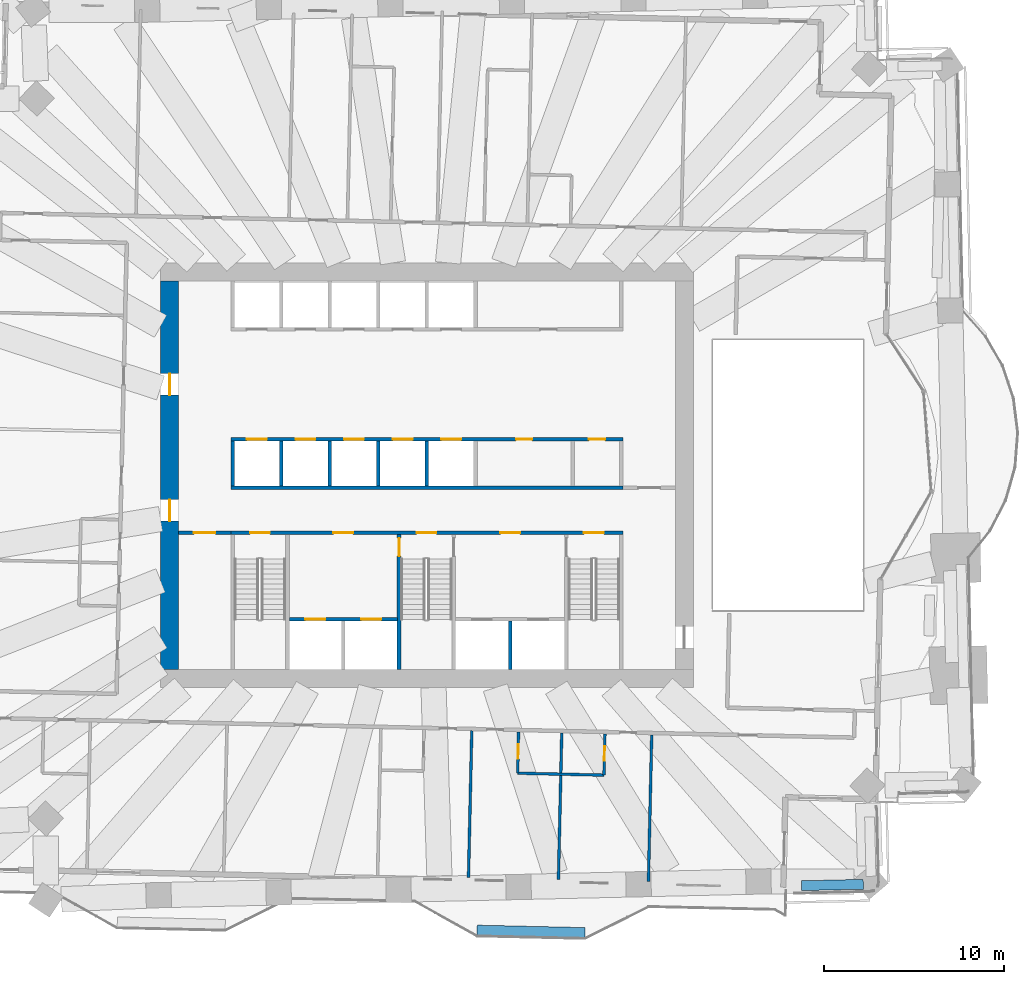
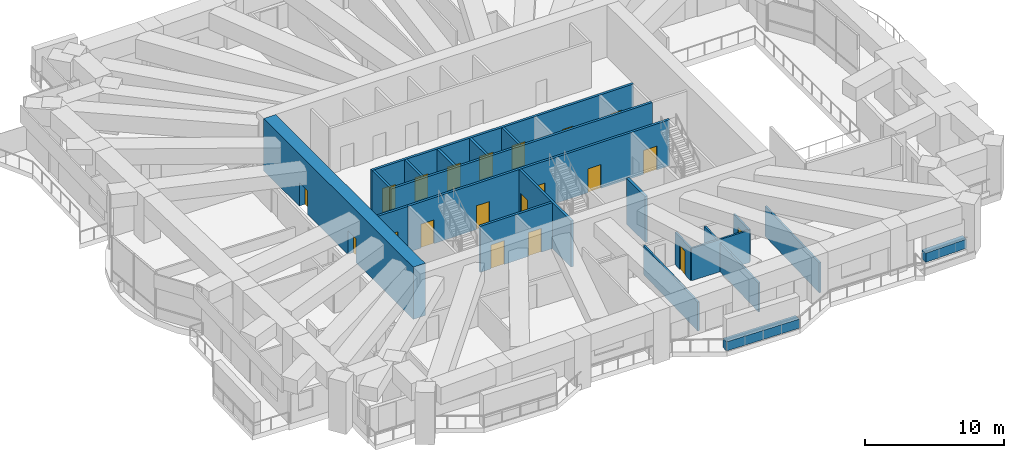
# One storey, part 11 of 20: 21 walls, 20 doors, 20 openings.
"""IFC4 building model written with IfcOpenShell, lengths in metres."""

import ifcopenshell
import ifcopenshell.guid

model = None  # the IFC model being written
_history = None  # IfcOwnerHistory: only IFC2X3 demands one
_inside = {}  # id of a spatial element -> (the spatial element, [elements in it])
_under = {}  # id of a project, library or spatial element -> (it, [spatial elements below it])
_declared = {}  # id of a project -> (the project, [libraries it declares])
_typed = {}  # id of a type object -> (the type object, [elements of that type])
_made_of = {}  # id of a material, layer set ... -> (it, [elements and type objects made of it])


def new_model(schema):
    """Start an empty IFC model of exactly this schema.

    Asked for "IFC4X3", IfcOpenShell would pick the latest addendum, in which some entities
    have other attributes; the version numbers below select the first issue.
    IFC2X3 requires an IfcOwnerHistory on every rooted entity: one is made here for all.
    """
    global model, _history
    if schema == "IFC4X3":
        model = ifcopenshell.file(schema_version=(4, 3, 0, 0))
    else:
        model = ifcopenshell.file(schema=schema)
    _inside.clear()
    _under.clear()
    _declared.clear()
    _typed.clear()
    _made_of.clear()
    _history = None
    if model.schema == "IFC2X3":
        org = make("IfcOrganization", Name="unknown")
        user = make(
            "IfcPersonAndOrganization",
            ThePerson=make("IfcPerson", FamilyName="unknown"),
            TheOrganization=org,
        )
        app = make(
            "IfcApplication",
            ApplicationDeveloper=org,
            Version="unknown",
            ApplicationFullName="unknown",
            ApplicationIdentifier="unknown",
        )
        _history = make(
            "IfcOwnerHistory",
            OwningUser=user,
            OwningApplication=app,
            ChangeAction="ADDED",
            CreationDate=0,
        )
    return model


def make(cls, **values):
    """One entity of the class cls with the attributes given. An attribute that is None is left unset."""
    return model.create_entity(
        cls, **{name: value for name, value in values.items() if value is not None}
    )


def rooted(cls, **values):
    """An entity with a GlobalId (a new one), such as an element, a storey or a relation."""
    return make(cls, GlobalId=ifcopenshell.guid.new(), OwnerHistory=_history, **values)


def si_unit(unit_type, name, prefix=None):
    """IfcSIUnit, for example si_unit("LENGTHUNIT", "METRE", prefix="MILLI")."""
    return make("IfcSIUnit", UnitType=unit_type, Prefix=prefix, Name=name)


def assignment(units):
    """IfcUnitAssignment: the units of a project."""
    return None if units is None else make("IfcUnitAssignment", Units=units)


def point(xyz):
    """IfcCartesianPoint."""
    return None if xyz is None else make("IfcCartesianPoint", Coordinates=xyz)


def direction(xyz):
    """IfcDirection."""
    return None if xyz is None else make("IfcDirection", DirectionRatios=xyz)


def frame(location, z_axis=None, x_axis=None):
    """IfcAxis2Placement3D, a coordinate frame: its origin and axes. An axis left out is left unset."""
    return make(
        "IfcAxis2Placement3D",
        Location=point(location),
        Axis=direction(z_axis),
        RefDirection=direction(x_axis),
    )


def frame_2d(location, x_axis=None):
    """IfcAxis2Placement2D, a coordinate frame in the plane: its origin and x axis."""
    return make(
        "IfcAxis2Placement2D", Location=point(location), RefDirection=direction(x_axis)
    )


def origin():
    """The frame at (0, 0, 0) with its axes left unset."""
    return frame((0.0, 0.0, 0.0))


def place(relative_to, where):
    """IfcLocalPlacement: puts the frame where relative to a parent placement (None: the world)."""
    return make(
        "IfcLocalPlacement", PlacementRelTo=relative_to, RelativePlacement=where
    )


def context(
    kind, dimensions, precision=None, world=None, true_north=None, identifier=None
):
    """IfcGeometricRepresentationContext, for example the 3D "Model" context."""
    return make(
        "IfcGeometricRepresentationContext",
        ContextIdentifier=identifier,
        ContextType=kind,
        CoordinateSpaceDimension=dimensions,
        Precision=precision,
        WorldCoordinateSystem=world,
        TrueNorth=true_north,
    )


def subcontext(parent, identifier, kind, view, scale=None):
    """IfcGeometricRepresentationSubContext, for example "Body" below "Model"."""
    return make(
        "IfcGeometricRepresentationSubContext",
        ContextIdentifier=identifier,
        ContextType=kind,
        ParentContext=parent,
        TargetScale=scale,
        TargetView=view,
    )


def project(units=None, contexts=None):
    """IfcProject with its units and contexts."""
    return rooted(
        "IfcProject",
        Name="project",
        RepresentationContexts=contexts,
        UnitsInContext=assignment(units),
    )


def spatial(cls, under=None, at=None, **own):
    """A site, building, storey or space (cls), placed at a placement, below another one or the project."""
    s = rooted(cls, ObjectPlacement=at, **own)
    if under is not None:
        _under.setdefault(under.id(), (under, []))[1].append(s)
    return s


def profile(cls, at=None, kind="AREA", **sizes):
    """A parametric profile (cls). Its sizes go by their IFC names, for example OverallWidth=200.0."""
    return make(cls, ProfileType=kind, Position=at, **sizes)


def rectangle(**sizes):
    """IfcRectangleProfileDef."""
    return profile("IfcRectangleProfileDef", **sizes)


def extrude(swept, where, along, depth):
    """IfcExtrudedAreaSolid: the profile swept, set in the frame where, extruded along a direction by depth."""
    return make(
        "IfcExtrudedAreaSolid",
        SweptArea=swept,
        Position=where,
        ExtrudedDirection=direction(along),
        Depth=depth,
    )


def shape(context_of_items, identifier, shape_type, items):
    """IfcShapeRepresentation: the items that make up one representation, for example the "Body"."""
    return make(
        "IfcShapeRepresentation",
        ContextOfItems=context_of_items,
        RepresentationIdentifier=identifier,
        RepresentationType=shape_type,
        Items=items,
    )


def material(Name=None, Category=None):
    """IfcMaterial."""
    return make("IfcMaterial", Name=Name, Category=Category)


def layer(
    of_material, thickness, ventilated=None, Name=None, Category=None, Priority=None
):
    """IfcMaterialLayer: one layer of a wall or slab, of a material (None: an air gap)."""
    return make(
        "IfcMaterialLayer",
        Material=of_material,
        LayerThickness=thickness,
        IsVentilated=ventilated,
        Name=Name,
        Category=Category,
        Priority=Priority,
    )


def layer_set(layers, Name=None):
    """IfcMaterialLayerSet."""
    return make("IfcMaterialLayerSet", MaterialLayers=layers, LayerSetName=Name)


def made_of(thing, what):
    """Note that an element or type object is made of a material, layer set ...; save() writes the relation."""
    if what is not None:
        _made_of.setdefault(what.id(), (what, []))[1].append(thing)
    return thing


def type_object(cls, material=None, **own):
    """A type object (cls), such as IfcWallType, which elements share."""
    return made_of(rooted(cls, **own), material)


def element(
    cls,
    number,
    at=None,
    inside=None,
    cuts=None,
    type_object=None,
    material=None,
    context=None,
    identifier="Body",
    shape_type=None,
    held_by="IfcProductDefinitionShape",
    body=None,
    shapes=None,
    **own,
):
    """One element of the class cls, such as IfcWall. Its Tag is "e" and its number.

    at: its placement. inside: the storey or other place that contains it. cuts: it is an
    opening in that element (IfcRelVoidsElement). A single representation is given by context,
    identifier, shape_type and body (its items); several are given by shapes. held_by: the class
    of the entity that holds the representations. save() writes the other relations.
    """
    e = rooted(cls, Tag="e%d" % number, ObjectPlacement=at, **own)
    if body is not None:
        shapes = [shape(context, identifier, shape_type, body)]
    if shapes is not None:
        e.Representation = make(held_by, Representations=shapes)
    if inside is not None:
        _inside.setdefault(inside.id(), (inside, []))[1].append(e)
    if cuts is not None:
        rooted(
            "IfcRelVoidsElement", RelatingBuildingElement=cuts, RelatedOpeningElement=e
        )
    if type_object is not None:
        _typed.setdefault(type_object.id(), (type_object, []))[1].append(e)
    return made_of(e, material)


def fill(opening, filler):
    """IfcRelFillsElement: the door or window that sits in an opening."""
    return rooted(
        "IfcRelFillsElement",
        RelatingOpeningElement=opening,
        RelatedBuildingElement=filler,
    )


def aggregate(whole, parts):
    """IfcRelAggregates: a whole, such as a stair, and the parts it consists of."""
    return rooted("IfcRelAggregates", RelatingObject=whole, RelatedObjects=parts)


def save(model, path):
    """Write the relations noted so far, then the file.

    IfcRelAggregates (storeys below a building ...), IfcRelContainedInSpatialStructure (elements
    in a storey), IfcRelDefinesByType, IfcRelAssociatesMaterial and IfcRelDeclares: one each for
    every whole, place, type object, material and project.
    """
    for whole, parts in _under.values():
        aggregate(whole, parts)
    for where, things in _inside.values():
        rooted(
            "IfcRelContainedInSpatialStructure",
            RelatedElements=things,
            RelatingStructure=where,
        )
    for kind, things in _typed.values():
        rooted("IfcRelDefinesByType", RelatedObjects=things, RelatingType=kind)
    for what, things in _made_of.values():
        rooted("IfcRelAssociatesMaterial", RelatedObjects=things, RelatingMaterial=what)
    for by, libraries in _declared.values():
        rooted("IfcRelDeclares", RelatingContext=by, RelatedDefinitions=libraries)
    model.write(path)


model = new_model("IFC4")

# Units and contexts
model_context = context("Model", 3, precision=1e-05, world=origin(), true_north=direction((0.0, 1.0)))
body_context = subcontext(model_context, "Body", "Model", "MODEL_VIEW")
ifc_project = project(units=[si_unit("LENGTHUNIT", "METRE"), si_unit("AREAUNIT", "SQUARE_METRE"), si_unit("VOLUMEUNIT", "CUBIC_METRE"), si_unit("PLANEANGLEUNIT", "RADIAN"), si_unit("MASSUNIT", "GRAM", prefix="KILO")], contexts=[model_context])

# Site, building, storey
site_placement = place(None, origin())
site = spatial("IfcSite", under=ifc_project, at=site_placement, CompositionType="ELEMENT")
building_placement = place(site_placement, origin())
building = spatial("IfcBuilding", under=site, at=building_placement, Name="Mangrove Gate Tower", CompositionType="ELEMENT")
storey_placement = place(building_placement, frame((0.0, 0.0, 97.300048828125)))
storey = spatial("IfcBuildingStorey", under=building, at=storey_placement, Name="L24", CompositionType="ELEMENT", Elevation=97.300048828125)

# Wall, opening, door
ifc_material_1 = material(Name="Concrete C32/40", Category="concrete")
ifc_layer_1 = layer(ifc_material_1, 0.199951171875)
ifc_layer_set_1 = layer_set([ifc_layer_1], Name="Core lobby wall 200 C32/40")
wall_type_1 = type_object("IfcWallType", Name="Core lobby wall 200 C32/40", PredefinedType="STANDARD", material=ifc_layer_set_1)
wall_1_placement = place(storey_placement, frame((-13.800048828125, -3.199951171875, 0.0), z_axis=(0.0, 0.0, 1.0), x_axis=(1.0, 0.0, 0.0)))
wall_1 = element("IfcWall", 1, at=wall_1_placement, inside=storey, type_object=wall_type_1, Name="WALL-L24-CORE-34", PredefinedType="STANDARD", context=body_context, shape_type="SweptSolid", body=[
    extrude(rectangle(XDim=2.900146484375, YDim=0.199951171875, at=frame_2d((1.4501953125, 0.0))), origin(), (0.0, 0.0, 1.0), 4.050048828125),
])
opening_1_placement = place(wall_1_placement, frame((0.85009765625, 0.0, 0.0)))
opening_1 = element("IfcOpeningElement", 2, at=opening_1_placement, cuts=wall_1, Name="Opening FL12", PredefinedType="OPENING", context=body_context, shape_type="SweptSolid", body=[
    extrude(rectangle(XDim=1.199951171875, YDim=2.10009765625, at=frame_2d((0.60009765625, 1.050048828125))), frame((0.0, 0.10986328125, 0.0), z_axis=(0.0, -1.0, 0.0), x_axis=(1.0, 0.0, 0.0)), (0.0, 0.0, 1.0), 0.219970703125),
])
ifc_material_2 = material(Name="Fire-rated steel door set", Category="steel")
door_type_1 = type_object("IfcDoorType", Name="Lobby door FD60 1200x2100", OperationType="SINGLE_SWING_LEFT", PredefinedType="DOOR", material=ifc_material_2)
door_1_placement = place(opening_1_placement, origin())
door_1 = element("IfcDoor", 3, at=door_1_placement, inside=storey, type_object=door_type_1, Name="Lobby door core corridor W partition", OperationType="SINGLE_SWING_LEFT", OverallHeight=2.10009765625, OverallWidth=1.199951171875, PredefinedType="DOOR", context=body_context, shape_type="SweptSolid", body=[
    extrude(rectangle(XDim=1.199951171875, YDim=2.10009765625, at=frame_2d((0.60009765625, 1.050048828125))), frame((0.0, 0.02490234375, 0.0), z_axis=(0.0, -1.0, 0.0), x_axis=(1.0, 0.0, 0.0)), (0.0, 0.0, 1.0), 0.050048828125),
])
fill(opening_1, door_1)

# Wall
ifc_material_3 = material(Name="Concrete C70/85", Category="concrete")
ifc_layer_2 = layer(ifc_material_3, 0.199951171875)
ifc_layer_set_2 = layer_set([ifc_layer_2], Name="Core shaft wall 200 C70/85")
wall_type_2 = type_object("IfcWallType", Name="Core shaft wall 200 C70/85", PredefinedType="SHEAR", material=ifc_layer_set_2)
wall_2_placement = place(storey_placement, frame((-10.89990234375, -0.699951171875, 0.0), z_axis=(0.0, 0.0, 1.0), x_axis=(1.0, 0.0, 0.0)))
element("IfcWall", 4, at=wall_2_placement, inside=storey, type_object=wall_type_2, Name="WALL-L24-CORE-6", PredefinedType="SHEAR", context=body_context, shape_type="SweptSolid", body=[
    extrude(rectangle(XDim=21.7998046875, YDim=0.199951171875, at=frame_2d((10.89990234375, 0.0))), origin(), (0.0, 0.0, 1.0), 4.050048828125),
])

# Wall, openings, doors
wall_3_placement = place(storey_placement, frame((-10.89990234375, 2.0, 0.0), z_axis=(0.0, 0.0, 1.0), x_axis=(1.0, 0.0, 0.0)))
wall_3 = element("IfcWall", 5, at=wall_3_placement, inside=storey, type_object=wall_type_2, Name="WALL-L24-CORE-7", PredefinedType="SHEAR", context=body_context, shape_type="SweptSolid", body=[
    extrude(rectangle(XDim=21.7998046875, YDim=0.199951171875, at=frame_2d((10.89990234375, 0.0))), origin(), (0.0, 0.0, 1.0), 4.050048828125),
])
opening_2_placement = place(wall_3_placement, frame((0.89990234375, 0.0, 0.0)))
opening_2 = element("IfcOpeningElement", 6, at=opening_2_placement, cuts=wall_3, Name="Opening LD", PredefinedType="OPENING", context=body_context, shape_type="SweptSolid", body=[
    extrude(rectangle(XDim=1.10009765625, YDim=2.10009765625, at=frame_2d((0.550048828125, 1.050048828125))), frame((0.0, 0.10986328125, 0.0), z_axis=(0.0, -1.0, 0.0), x_axis=(1.0, 0.0, 0.0)), (0.0, 0.0, 1.0), 0.219970703125),
])
opening_3_placement = place(wall_3_placement, frame((3.60009765625, 0.0, 0.0)))
opening_3 = element("IfcOpeningElement", 7, at=opening_3_placement, cuts=wall_3, Name="Opening LD", PredefinedType="OPENING", context=body_context, shape_type="SweptSolid", body=[
    extrude(rectangle(XDim=1.10009765625, YDim=2.10009765625, at=frame_2d((0.550048828125, 1.050048828125))), frame((0.0, 0.10986328125, 0.0), z_axis=(0.0, -1.0, 0.0), x_axis=(1.0, 0.0, 0.0)), (0.0, 0.0, 1.0), 0.219970703125),
])
opening_4_placement = place(wall_3_placement, frame((6.300048828125, 0.0, 0.0)))
opening_4 = element("IfcOpeningElement", 8, at=opening_4_placement, cuts=wall_3, Name="Opening LD", PredefinedType="OPENING", context=body_context, shape_type="SweptSolid", body=[
    extrude(rectangle(XDim=1.10009765625, YDim=2.10009765625, at=frame_2d((0.550048828125, 1.050048828125))), frame((0.0, 0.10986328125, 0.0), z_axis=(0.0, -1.0, 0.0), x_axis=(1.0, 0.0, 0.0)), (0.0, 0.0, 1.0), 0.219970703125),
])
opening_5_placement = place(wall_3_placement, frame((9.0, 0.0, 0.0)))
opening_5 = element("IfcOpeningElement", 9, at=opening_5_placement, cuts=wall_3, Name="Opening LD", PredefinedType="OPENING", context=body_context, shape_type="SweptSolid", body=[
    extrude(rectangle(XDim=1.10009765625, YDim=2.10009765625, at=frame_2d((0.550048828125, 1.050048828125))), frame((0.0, 0.10986328125, 0.0), z_axis=(0.0, -1.0, 0.0), x_axis=(1.0, 0.0, 0.0)), (0.0, 0.0, 1.0), 0.219970703125),
])
opening_6_placement = place(wall_3_placement, frame((11.699951171875, 0.0, 0.0)))
opening_6 = element("IfcOpeningElement", 10, at=opening_6_placement, cuts=wall_3, Name="Opening LD", PredefinedType="OPENING", context=body_context, shape_type="SweptSolid", body=[
    extrude(rectangle(XDim=1.10009765625, YDim=2.10009765625, at=frame_2d((0.550048828125, 1.050048828125))), frame((0.0, 0.10986328125, 0.0), z_axis=(0.0, -1.0, 0.0), x_axis=(1.0, 0.0, 0.0)), (0.0, 0.0, 1.0), 0.219970703125),
])
opening_7_placement = place(wall_3_placement, frame((15.85009765625, 0.0, 0.0)))
opening_7 = element("IfcOpeningElement", 11, at=opening_7_placement, cuts=wall_3, Name="Opening KD", PredefinedType="OPENING", context=body_context, shape_type="SweptSolid", body=[
    extrude(rectangle(XDim=0.89990234375, YDim=2.10009765625, at=frame_2d((0.449951171875, 1.050048828125))), frame((0.0, 0.10986328125, 0.0), z_axis=(0.0, -1.0, 0.0), x_axis=(1.0, 0.0, 0.0)), (0.0, 0.0, 1.0), 0.219970703125),
])
opening_8_placement = place(wall_3_placement, frame((19.89990234375, 0.0, 0.0)))
opening_8 = element("IfcOpeningElement", 12, at=opening_8_placement, cuts=wall_3, Name="Opening KD", PredefinedType="OPENING", context=body_context, shape_type="SweptSolid", body=[
    extrude(rectangle(XDim=0.89990234375, YDim=2.10009765625, at=frame_2d((0.449951171875, 1.050048828125))), frame((0.0, 0.10986328125, 0.0), z_axis=(0.0, -1.0, 0.0), x_axis=(1.0, 0.0, 0.0)), (0.0, 0.0, 1.0), 0.219970703125),
])
ifc_material_4 = material(Name="Fire-rated steel door set", Category="steel")
door_type_2 = type_object("IfcDoorType", Name="Core room door FD30S 900x2100", OperationType="SINGLE_SWING_RIGHT", PredefinedType="DOOR", material=ifc_material_4)
door_2_placement = place(opening_7_placement, origin())
door_2 = element("IfcDoor", 13, at=door_2_placement, inside=storey, type_object=door_type_2, Name="Core room door Pantry store", OperationType="SINGLE_SWING_RIGHT", OverallHeight=2.10009765625, OverallWidth=0.89990234375, PredefinedType="DOOR", context=body_context, shape_type="SweptSolid", body=[
    extrude(rectangle(XDim=0.89990234375, YDim=2.10009765625, at=frame_2d((0.449951171875, 1.050048828125))), frame((0.0, 0.02490234375, 0.0), z_axis=(0.0, -1.0, 0.0), x_axis=(1.0, 0.0, 0.0)), (0.0, 0.0, 1.0), 0.050048828125),
])
fill(opening_7, door_2)
door_3_placement = place(opening_8_placement, origin())
door_3 = element("IfcDoor", 14, at=door_3_placement, inside=storey, type_object=door_type_2, Name="Core room door Cleaner's store", OperationType="SINGLE_SWING_RIGHT", OverallHeight=2.10009765625, OverallWidth=0.89990234375, PredefinedType="DOOR", context=body_context, shape_type="SweptSolid", body=[
    extrude(rectangle(XDim=0.89990234375, YDim=2.10009765625, at=frame_2d((0.449951171875, 1.050048828125))), frame((0.0, 0.02490234375, 0.0), z_axis=(0.0, -1.0, 0.0), x_axis=(1.0, 0.0, 0.0)), (0.0, 0.0, 1.0), 0.050048828125),
])
fill(opening_8, door_3)
ifc_material_5 = material(Name="Stainless steel 316", Category="steel")
door_type_3 = type_object("IfcDoorType", Name="Lift landing door 1100x2100", OperationType="SLIDING_TO_LEFT", PredefinedType="DOOR", material=ifc_material_5)
door_4_placement = place(opening_2_placement, origin())
door_4 = element("IfcDoor", 15, at=door_4_placement, inside=storey, type_object=door_type_3, Name="Landing door LD P01", OperationType="SLIDING_TO_LEFT", OverallHeight=2.10009765625, OverallWidth=1.10009765625, PredefinedType="DOOR", context=body_context, shape_type="SweptSolid", body=[
    extrude(rectangle(XDim=1.10009765625, YDim=2.10009765625, at=frame_2d((0.550048828125, 1.050048828125))), frame((0.0, 0.02490234375, 0.0), z_axis=(0.0, -1.0, 0.0), x_axis=(1.0, 0.0, 0.0)), (0.0, 0.0, 1.0), 0.050048828125),
])
fill(opening_2, door_4)
door_5_placement = place(opening_3_placement, origin())
door_5 = element("IfcDoor", 16, at=door_5_placement, inside=storey, type_object=door_type_3, Name="Landing door LD P02", OperationType="SLIDING_TO_LEFT", OverallHeight=2.10009765625, OverallWidth=1.10009765625, PredefinedType="DOOR", context=body_context, shape_type="SweptSolid", body=[
    extrude(rectangle(XDim=1.10009765625, YDim=2.10009765625, at=frame_2d((0.550048828125, 1.050048828125))), frame((0.0, 0.02490234375, 0.0), z_axis=(0.0, -1.0, 0.0), x_axis=(1.0, 0.0, 0.0)), (0.0, 0.0, 1.0), 0.050048828125),
])
fill(opening_3, door_5)
door_6_placement = place(opening_4_placement, origin())
door_6 = element("IfcDoor", 17, at=door_6_placement, inside=storey, type_object=door_type_3, Name="Landing door LD P03", OperationType="SLIDING_TO_LEFT", OverallHeight=2.10009765625, OverallWidth=1.10009765625, PredefinedType="DOOR", context=body_context, shape_type="SweptSolid", body=[
    extrude(rectangle(XDim=1.10009765625, YDim=2.10009765625, at=frame_2d((0.550048828125, 1.050048828125))), frame((0.0, 0.02490234375, 0.0), z_axis=(0.0, -1.0, 0.0), x_axis=(1.0, 0.0, 0.0)), (0.0, 0.0, 1.0), 0.050048828125),
])
fill(opening_4, door_6)
door_7_placement = place(opening_5_placement, origin())
door_7 = element("IfcDoor", 18, at=door_7_placement, inside=storey, type_object=door_type_3, Name="Landing door LD P04", OperationType="SLIDING_TO_LEFT", OverallHeight=2.10009765625, OverallWidth=1.10009765625, PredefinedType="DOOR", context=body_context, shape_type="SweptSolid", body=[
    extrude(rectangle(XDim=1.10009765625, YDim=2.10009765625, at=frame_2d((0.550048828125, 1.050048828125))), frame((0.0, 0.02490234375, 0.0), z_axis=(0.0, -1.0, 0.0), x_axis=(1.0, 0.0, 0.0)), (0.0, 0.0, 1.0), 0.050048828125),
])
fill(opening_5, door_7)
door_8_placement = place(opening_6_placement, origin())
door_8 = element("IfcDoor", 19, at=door_8_placement, inside=storey, type_object=door_type_3, Name="Landing door LD P05", OperationType="SLIDING_TO_LEFT", OverallHeight=2.10009765625, OverallWidth=1.10009765625, PredefinedType="DOOR", context=body_context, shape_type="SweptSolid", body=[
    extrude(rectangle(XDim=1.10009765625, YDim=2.10009765625, at=frame_2d((0.550048828125, 1.050048828125))), frame((0.0, 0.02490234375, 0.0), z_axis=(0.0, -1.0, 0.0), x_axis=(1.0, 0.0, 0.0)), (0.0, 0.0, 1.0), 0.050048828125),
])
fill(opening_6, door_8)

wall_4_placement = place(storey_placement, frame((-7.64990234375, -8.0, 0.0), z_axis=(0.0, 0.0, 1.0), x_axis=(1.0, 0.0, 0.0)))
wall_4 = element("IfcWall", 20, at=wall_4_placement, inside=storey, type_object=wall_type_2, Name="WALL-L24-CORE-15", PredefinedType="SHEAR", context=body_context, shape_type="SweptSolid", body=[
    extrude(rectangle(XDim=6.0, YDim=0.199951171875, at=frame_2d((3.0, 0.0))), origin(), (0.0, 0.0, 1.0), 4.050048828125),
])
opening_9_placement = place(wall_4_placement, frame((0.89990234375, 0.0, 0.0)))
opening_9 = element("IfcOpeningElement", 21, at=opening_9_placement, cuts=wall_4, Name="Opening LD", PredefinedType="OPENING", context=body_context, shape_type="SweptSolid", body=[
    extrude(rectangle(XDim=1.10009765625, YDim=2.10009765625, at=frame_2d((0.550048828125, 1.050048828125))), frame((0.0, 0.10986328125, 0.0), z_axis=(0.0, -1.0, 0.0), x_axis=(1.0, 0.0, 0.0)), (0.0, 0.0, 1.0), 0.219970703125),
])
opening_10_placement = place(wall_4_placement, frame((4.0, 0.0, 0.0)))
opening_10 = element("IfcOpeningElement", 22, at=opening_10_placement, cuts=wall_4, Name="Opening LD", PredefinedType="OPENING", context=body_context, shape_type="SweptSolid", body=[
    extrude(rectangle(XDim=1.10009765625, YDim=2.10009765625, at=frame_2d((0.550048828125, 1.050048828125))), frame((0.0, 0.10986328125, 0.0), z_axis=(0.0, -1.0, 0.0), x_axis=(1.0, 0.0, 0.0)), (0.0, 0.0, 1.0), 0.219970703125),
])
door_9_placement = place(opening_9_placement, origin())
door_9 = element("IfcDoor", 23, at=door_9_placement, inside=storey, type_object=door_type_3, Name="Landing door LD SVL1", OperationType="SLIDING_TO_LEFT", OverallHeight=2.10009765625, OverallWidth=1.10009765625, PredefinedType="DOOR", context=body_context, shape_type="SweptSolid", body=[
    extrude(rectangle(XDim=1.10009765625, YDim=2.10009765625, at=frame_2d((0.550048828125, 1.050048828125))), frame((0.0, 0.02490234375, 0.0), z_axis=(0.0, -1.0, 0.0), x_axis=(1.0, 0.0, 0.0)), (0.0, 0.0, 1.0), 0.050048828125),
])
fill(opening_9, door_9)
door_10_placement = place(opening_10_placement, origin())
door_10 = element("IfcDoor", 24, at=door_10_placement, inside=storey, type_object=door_type_3, Name="Landing door LD SVL2", OperationType="SLIDING_TO_LEFT", OverallHeight=2.10009765625, OverallWidth=1.10009765625, PredefinedType="DOOR", context=body_context, shape_type="SweptSolid", body=[
    extrude(rectangle(XDim=1.10009765625, YDim=2.10009765625, at=frame_2d((0.550048828125, 1.050048828125))), frame((0.0, 0.02490234375, 0.0), z_axis=(0.0, -1.0, 0.0), x_axis=(1.0, 0.0, 0.0)), (0.0, 0.0, 1.0), 0.050048828125),
])
fill(opening_10, door_10)

# Walls
wall_5_placement = place(storey_placement, frame((4.625, -10.800048828125, 0.0), z_axis=(0.0, 0.0, 1.0), x_axis=(0.0, 1.0, 0.0)))
element("IfcWall", 25, at=wall_5_placement, inside=storey, type_object=wall_type_2, Name="WALL-L24-CORE-18", PredefinedType="SHEAR", context=body_context, shape_type="SweptSolid", body=[
    extrude(rectangle(XDim=2.699951171875, YDim=0.199951171875, at=frame_2d((1.35009765625, 0.0))), origin(), (0.0, 0.0, 1.0), 4.050048828125),
])
for number, where, z_axis, x_axis, name in (
    (26, (-10.800048828125, -0.60009765625, 0.0), (0.0, 0.0, 1.0), (0.0, 1.0, 0.0), "WALL-L24-CORE-19"),
    (27, (-8.10009765625, -0.60009765625, 0.0), (0.0, 0.0, 1.0), (0.0, 1.0, 0.0), "WALL-L24-CORE-20"),
    (28, (-5.39990234375, -0.60009765625, 0.0), (0.0, 0.0, 1.0), (0.0, 1.0, 0.0), "WALL-L24-CORE-21"),
    (29, (-2.699951171875, -0.60009765625, 0.0), (0.0, 0.0, 1.0), (0.0, 1.0, 0.0), "WALL-L24-CORE-22"),
    (30, (0.0, -0.60009765625, 0.0), (0.0, 0.0, 1.0), (0.0, 1.0, 0.0), "WALL-L24-CORE-23"),
):
    element("IfcWall", number, at=place(storey_placement, frame(where, z_axis=z_axis, x_axis=x_axis)), inside=storey, type_object=wall_type_2, Name=name, PredefinedType="SHEAR", context=body_context, shape_type="SweptSolid", body=[
        extrude(rectangle(XDim=2.5, YDim=0.199951171875, at=frame_2d((1.25, 0.0))), origin(), (0.0, 0.0, 1.0), 4.050048828125),
    ])

# Wall, openings, doors
ifc_material_6 = material(Name="Concrete C70/85", Category="concrete")
ifc_layer_3 = layer(ifc_material_6, 0.199951171875)
ifc_layer_set_3 = layer_set([ifc_layer_3], Name="Core stair wall 200 C70/85")
wall_type_3 = type_object("IfcWallType", Name="Core stair wall 200 C70/85", PredefinedType="SHEAR", material=ifc_layer_set_3)
wall_6_placement = place(storey_placement, frame((-10.89990234375, -3.199951171875, 0.0), z_axis=(0.0, 0.0, 1.0), x_axis=(1.0, 0.0, 0.0)))
wall_6 = element("IfcWall", 31, at=wall_6_placement, inside=storey, type_object=wall_type_3, Name="WALL-L24-CORE-5", PredefinedType="SHEAR", context=body_context, shape_type="SweptSolid", body=[
    extrude(rectangle(XDim=21.7998046875, YDim=0.199951171875, at=frame_2d((10.89990234375, 0.0))), origin(), (0.0, 0.0, 1.0), 4.050048828125),
])
opening_11_placement = place(wall_6_placement, frame((1.074951171875, 0.0, 0.0)))
opening_11 = element("IfcOpeningElement", 32, at=opening_11_placement, cuts=wall_6, Name="Opening STD11", PredefinedType="OPENING", context=body_context, shape_type="SweptSolid", body=[
    extrude(rectangle(XDim=1.10009765625, YDim=2.10009765625, at=frame_2d((0.550048828125, 1.050048828125))), frame((0.0, 0.10986328125, 0.0), z_axis=(0.0, -1.0, 0.0), x_axis=(1.0, 0.0, 0.0)), (0.0, 0.0, 1.0), 0.219970703125),
])
opening_12_placement = place(wall_6_placement, frame((10.324951171875, 0.0, 0.0)))
opening_12 = element("IfcOpeningElement", 33, at=opening_12_placement, cuts=wall_6, Name="Opening STD11", PredefinedType="OPENING", context=body_context, shape_type="SweptSolid", body=[
    extrude(rectangle(XDim=1.10009765625, YDim=2.10009765625, at=frame_2d((0.550048828125, 1.050048828125))), frame((0.0, 0.10986328125, 0.0), z_axis=(0.0, -1.0, 0.0), x_axis=(1.0, 0.0, 0.0)), (0.0, 0.0, 1.0), 0.219970703125),
])
opening_13_placement = place(wall_6_placement, frame((19.625, 0.0, 0.0)))
opening_13 = element("IfcOpeningElement", 34, at=opening_13_placement, cuts=wall_6, Name="Opening STD11", PredefinedType="OPENING", context=body_context, shape_type="SweptSolid", body=[
    extrude(rectangle(XDim=1.10009765625, YDim=2.10009765625, at=frame_2d((0.550048828125, 1.050048828125))), frame((0.0, 0.10986328125, 0.0), z_axis=(0.0, -1.0, 0.0), x_axis=(1.0, 0.0, 0.0)), (0.0, 0.0, 1.0), 0.219970703125),
])
opening_14_placement = place(wall_6_placement, frame((5.699951171875, 0.0, 0.0)))
opening_14 = element("IfcOpeningElement", 35, at=opening_14_placement, cuts=wall_6, Name="Opening FL", PredefinedType="OPENING", context=body_context, shape_type="SweptSolid", body=[
    extrude(rectangle(XDim=1.10009765625, YDim=2.10009765625, at=frame_2d((0.550048828125, 1.050048828125))), frame((0.0, 0.10986328125, 0.0), z_axis=(0.0, -1.0, 0.0), x_axis=(1.0, 0.0, 0.0)), (0.0, 0.0, 1.0), 0.219970703125),
])
opening_15_placement = place(wall_6_placement, frame((14.97509765625, 0.0, 0.0)))
opening_15 = element("IfcOpeningElement", 36, at=opening_15_placement, cuts=wall_6, Name="Opening FL", PredefinedType="OPENING", context=body_context, shape_type="SweptSolid", body=[
    extrude(rectangle(XDim=1.10009765625, YDim=2.10009765625, at=frame_2d((0.550048828125, 1.050048828125))), frame((0.0, 0.10986328125, 0.0), z_axis=(0.0, -1.0, 0.0), x_axis=(1.0, 0.0, 0.0)), (0.0, 0.0, 1.0), 0.219970703125),
])
ifc_material_7 = material(Name="Fire-rated steel door set", Category="steel")
door_type_4 = type_object("IfcDoorType", Name="Lobby door FD60 1100x2100", OperationType="SINGLE_SWING_LEFT", PredefinedType="DOOR", material=ifc_material_7)
door_11_placement = place(opening_14_placement, origin())
door_11 = element("IfcDoor", 37, at=door_11_placement, inside=storey, type_object=door_type_4, Name="Lobby door service lobby", OperationType="SINGLE_SWING_LEFT", OverallHeight=2.10009765625, OverallWidth=1.10009765625, PredefinedType="DOOR", context=body_context, shape_type="SweptSolid", body=[
    extrude(rectangle(XDim=1.10009765625, YDim=2.10009765625, at=frame_2d((0.550048828125, 1.050048828125))), frame((0.0, 0.02490234375, 0.0), z_axis=(0.0, -1.0, 0.0), x_axis=(1.0, 0.0, 0.0)), (0.0, 0.0, 1.0), 0.050048828125),
])
fill(opening_14, door_11)
door_12_placement = place(opening_15_placement, origin())
door_12 = element("IfcDoor", 38, at=door_12_placement, inside=storey, type_object=door_type_4, Name="Lobby door fire-fighting lobby", OperationType="SINGLE_SWING_LEFT", OverallHeight=2.10009765625, OverallWidth=1.10009765625, PredefinedType="DOOR", context=body_context, shape_type="SweptSolid", body=[
    extrude(rectangle(XDim=1.10009765625, YDim=2.10009765625, at=frame_2d((0.550048828125, 1.050048828125))), frame((0.0, 0.02490234375, 0.0), z_axis=(0.0, -1.0, 0.0), x_axis=(1.0, 0.0, 0.0)), (0.0, 0.0, 1.0), 0.050048828125),
])
fill(opening_15, door_12)
ifc_material_8 = material(Name="Fire-rated steel door set", Category="steel")
door_type_5 = type_object("IfcDoorType", Name="Stair door FD60 1100x2100", OperationType="SINGLE_SWING_RIGHT", PredefinedType="DOOR", material=ifc_material_8)
door_13_placement = place(opening_11_placement, origin())
door_13 = element("IfcDoor", 39, at=door_13_placement, inside=storey, type_object=door_type_5, Name="Stair door Stair 1", OperationType="SINGLE_SWING_RIGHT", OverallHeight=2.10009765625, OverallWidth=1.10009765625, PredefinedType="DOOR", context=body_context, shape_type="SweptSolid", body=[
    extrude(rectangle(XDim=1.10009765625, YDim=2.10009765625, at=frame_2d((0.550048828125, 1.050048828125))), frame((0.0, 0.02490234375, 0.0), z_axis=(0.0, -1.0, 0.0), x_axis=(1.0, 0.0, 0.0)), (0.0, 0.0, 1.0), 0.050048828125),
])
fill(opening_11, door_13)
door_14_placement = place(opening_12_placement, origin())
door_14 = element("IfcDoor", 40, at=door_14_placement, inside=storey, type_object=door_type_5, Name="Stair door Stair 2", OperationType="SINGLE_SWING_RIGHT", OverallHeight=2.10009765625, OverallWidth=1.10009765625, PredefinedType="DOOR", context=body_context, shape_type="SweptSolid", body=[
    extrude(rectangle(XDim=1.10009765625, YDim=2.10009765625, at=frame_2d((0.550048828125, 1.050048828125))), frame((0.0, 0.02490234375, 0.0), z_axis=(0.0, -1.0, 0.0), x_axis=(1.0, 0.0, 0.0)), (0.0, 0.0, 1.0), 0.050048828125),
])
fill(opening_12, door_14)
door_15_placement = place(opening_13_placement, origin())
door_15 = element("IfcDoor", 41, at=door_15_placement, inside=storey, type_object=door_type_5, Name="Stair door Stair 3", OperationType="SINGLE_SWING_RIGHT", OverallHeight=2.10009765625, OverallWidth=1.10009765625, PredefinedType="DOOR", context=body_context, shape_type="SweptSolid", body=[
    extrude(rectangle(XDim=1.10009765625, YDim=2.10009765625, at=frame_2d((0.550048828125, 1.050048828125))), frame((0.0, 0.02490234375, 0.0), z_axis=(0.0, -1.0, 0.0), x_axis=(1.0, 0.0, 0.0)), (0.0, 0.0, 1.0), 0.050048828125),
])
fill(opening_13, door_15)

# Wall, opening, door
wall_7_placement = place(storey_placement, frame((-1.550048828125, -10.800048828125, 0.0), z_axis=(0.0, 0.0, 1.0), x_axis=(0.0, 1.0, 0.0)))
wall_7 = element("IfcWall", 42, at=wall_7_placement, inside=storey, type_object=wall_type_3, Name="WALL-L24-CORE-11", PredefinedType="SHEAR", context=body_context, shape_type="SweptSolid", body=[
    extrude(rectangle(XDim=7.5, YDim=0.199951171875, at=frame_2d((3.75, 0.0))), origin(), (0.0, 0.0, 1.0), 4.050048828125),
])
opening_16_placement = place(wall_7_placement, frame((6.300048828125, 0.0, 0.0)))
opening_16 = element("IfcOpeningElement", 43, at=opening_16_placement, cuts=wall_7, Name="Opening STD10", PredefinedType="OPENING", context=body_context, shape_type="SweptSolid", body=[
    extrude(rectangle(XDim=1.0, YDim=2.10009765625, at=frame_2d((0.5, 1.050048828125))), frame((0.0, 0.10986328125, 0.0), z_axis=(0.0, -1.0, 0.0), x_axis=(1.0, 0.0, 0.0)), (0.0, 0.0, 1.0), 0.219970703125),
])
ifc_material_9 = material(Name="Fire-rated steel door set", Category="steel")
door_type_6 = type_object("IfcDoorType", Name="Stair door FD60 1000x2100", OperationType="SINGLE_SWING_RIGHT", PredefinedType="DOOR", material=ifc_material_9)
door_16_placement = place(opening_16_placement, origin())
door_16 = element("IfcDoor", 44, at=door_16_placement, inside=storey, type_object=door_type_6, Name="Stair door Stair 2 from service lobby", OperationType="SINGLE_SWING_RIGHT", OverallHeight=2.10009765625, OverallWidth=1.0, PredefinedType="DOOR", context=body_context, shape_type="SweptSolid", body=[
    extrude(rectangle(XDim=1.0, YDim=2.10009765625, at=frame_2d((0.5, 1.050048828125))), frame((0.0, 0.02490234375, 0.0), z_axis=(0.0, -1.0, 0.0), x_axis=(1.0, 0.0, 0.0)), (0.0, 0.0, 1.0), 0.050048828125),
])
fill(opening_16, door_16)

# Wall, openings, doors
ifc_material_10 = material(Name="Concrete C70/85", Category="concrete")
ifc_layer_4 = layer(ifc_material_10, 1.0)
ifc_layer_set_4 = layer_set([ifc_layer_4], Name="Core wall 1000 C70/85")
wall_type_4 = type_object("IfcWallType", Name="Core wall 1000 C70/85", PredefinedType="SHEAR", material=ifc_layer_set_4)
wall_8_placement = place(storey_placement, frame((-14.300048828125, -10.800048828125, 0.0), z_axis=(0.0, 0.0, 1.0), x_axis=(0.0, 1.0, 0.0)))
wall_8 = element("IfcWall", 45, at=wall_8_placement, inside=storey, type_object=wall_type_4, Name="WALL-L24-CORE-3", PredefinedType="SHEAR", context=body_context, shape_type="SweptSolid", body=[
    extrude(rectangle(XDim=21.60009765625, YDim=1.0, at=frame_2d((10.800048828125, 0.0))), origin(), (0.0, 0.0, 1.0), 4.599853515625),
])
opening_17_placement = place(wall_8_placement, frame((8.25, 0.0, 0.0)))
opening_17 = element("IfcOpeningElement", 46, at=opening_17_placement, cuts=wall_8, Name="Opening CD", PredefinedType="OPENING", context=body_context, shape_type="SweptSolid", body=[
    extrude(rectangle(XDim=1.199951171875, YDim=2.10009765625, at=frame_2d((0.60009765625, 1.050048828125))), frame((0.0, 0.510009765625, 0.0), z_axis=(0.0, -1.0, 0.0), x_axis=(1.0, 0.0, 0.0)), (0.0, 0.0, 1.0), 1.02001953125),
])
opening_18_placement = place(wall_8_placement, frame((15.25, 0.0, 0.0)))
opening_18 = element("IfcOpeningElement", 47, at=opening_18_placement, cuts=wall_8, Name="Opening CD", PredefinedType="OPENING", context=body_context, shape_type="SweptSolid", body=[
    extrude(rectangle(XDim=1.199951171875, YDim=2.10009765625, at=frame_2d((0.60009765625, 1.050048828125))), frame((0.0, 0.510009765625, 0.0), z_axis=(0.0, -1.0, 0.0), x_axis=(1.0, 0.0, 0.0)), (0.0, 0.0, 1.0), 1.02001953125),
])
ifc_material_11 = material(Name="Fire-rated steel door set", Category="steel")
door_type_7 = type_object("IfcDoorType", Name="Core ring door FD60 1200x2100", OperationType="DOUBLE_DOOR_SINGLE_SWING", PredefinedType="DOOR", material=ifc_material_11)
door_17_placement = place(opening_17_placement, origin())
door_17 = element("IfcDoor", 48, at=door_17_placement, inside=storey, type_object=door_type_7, Name="Core ring door W1", OperationType="DOUBLE_DOOR_SINGLE_SWING", OverallHeight=2.10009765625, OverallWidth=1.199951171875, PredefinedType="DOOR", context=body_context, shape_type="SweptSolid", body=[
    extrude(rectangle(XDim=1.199951171875, YDim=2.10009765625, at=frame_2d((0.60009765625, 1.050048828125))), frame((0.0, 0.02490234375, 0.0), z_axis=(0.0, -1.0, 0.0), x_axis=(1.0, 0.0, 0.0)), (0.0, 0.0, 1.0), 0.050048828125),
])
fill(opening_17, door_17)
door_18_placement = place(opening_18_placement, origin())
door_18 = element("IfcDoor", 49, at=door_18_placement, inside=storey, type_object=door_type_7, Name="Core ring door W2", OperationType="DOUBLE_DOOR_SINGLE_SWING", OverallHeight=2.10009765625, OverallWidth=1.199951171875, PredefinedType="DOOR", context=body_context, shape_type="SweptSolid", body=[
    extrude(rectangle(XDim=1.199951171875, YDim=2.10009765625, at=frame_2d((0.60009765625, 1.050048828125))), frame((0.0, 0.02490234375, 0.0), z_axis=(0.0, -1.0, 0.0), x_axis=(1.0, 0.0, 0.0)), (0.0, 0.0, 1.0), 0.050048828125),
])
fill(opening_18, door_18)

# Walls
ifc_material_12 = material(Name="Gypsum board on steel stud, EI 60", Category="steel")
ifc_layer_5 = layer(ifc_material_12, 0.14990234375)
ifc_layer_set_5 = layer_set([ifc_layer_5], Name="Party wall 150 EI 60")
wall_type_5 = type_object("IfcWallType", Name="Party wall 150 EI 60", PredefinedType="PARTITIONING", material=ifc_layer_set_5)
for number, where, z_axis, x_axis, name in (
    (50, (2.306884765625, -22.344970703125, 0.0), (0.0, 0.0, 1.0), (0.022706435224, 0.999742175663, 0.0), "WALL-L24-004"),
    (51, (7.304931640625, -22.4580078125, 0.0), (0.0, 0.0, 1.0), (0.022706435224, 0.999742175663, 0.0), "WALL-L24-005"),
):
    element("IfcWall", number, at=place(storey_placement, frame(where, z_axis=z_axis, x_axis=x_axis)), inside=storey, type_object=wall_type_5, Name=name, PredefinedType="PARTITIONING", context=body_context, shape_type="SweptSolid", body=[
        extrude(rectangle(XDim=8.150146484375, YDim=0.14990234375, at=frame_2d((4.0751953125, 0.0))), origin(), (0.0, 0.0, 1.0), 2.550048828125),
    ])
wall_9_placement = place(storey_placement, frame((12.303955078125, -22.572021484375, 0.0), z_axis=(0.0, 0.0, 1.0), x_axis=(0.022706435224, 0.999742175663, 0.0)))
element("IfcWall", 52, at=wall_9_placement, inside=storey, type_object=wall_type_5, Name="WALL-L24-006", PredefinedType="PARTITIONING", context=body_context, shape_type="SweptSolid", body=[
    extrude(rectangle(XDim=8.150146484375, YDim=0.14990234375, at=frame_2d((4.0751953125, 0.0))), origin(), (0.0, 0.0, 1.0), 2.64990234375),
])
wall_10_placement = place(storey_placement, frame((5.034912109375, -16.554931640625, 0.0), z_axis=(0.0, 0.0, 1.0), x_axis=(0.999741441463, -0.022738738327, 0.0)))
element("IfcWall", 53, at=wall_10_placement, inside=storey, type_object=wall_type_5, Name="WALL-L24-011", PredefinedType="PARTITIONING", context=body_context, shape_type="SweptSolid", body=[
    extrude(rectangle(XDim=4.79931640625, YDim=0.14990234375, at=frame_2d((2.399658203125, 0.0))), origin(), (0.0, 0.0, 1.0), 2.849853515625),
])

# Wall, opening, door
wall_11_placement = place(storey_placement, frame((5.0390625, -16.554931640625, 0.0), z_axis=(0.0, 0.0, 1.0), x_axis=(0.022615284993, 0.999744241736, 0.0)))
wall_11 = element("IfcWall", 54, at=wall_11_placement, inside=storey, type_object=wall_type_5, Name="WALL-L24-012", PredefinedType="PARTITIONING", context=body_context, shape_type="SweptSolid", body=[
    extrude(rectangle(XDim=2.29931640625, YDim=0.14990234375, at=frame_2d((1.149658203125, 0.0))), origin(), (0.0, 0.0, 1.0), 2.849853515625),
])
opening_19_placement = place(wall_11_placement, frame((0.800048828125, 0.0, 0.0)))
opening_19 = element("IfcOpeningElement", 55, at=opening_19_placement, cuts=wall_11, Name="Opening ED", PredefinedType="OPENING", context=body_context, shape_type="SweptSolid", body=[
    extrude(rectangle(XDim=0.800048828125, YDim=2.10009765625, at=frame_2d((0.39990234375, 1.050048828125))), frame((0.0, 0.0849609375, 0.0), z_axis=(0.0, -1.0, 0.0), x_axis=(1.0, 0.0, 0.0)), (0.0, 0.0, 1.0), 0.169921875),
])
ifc_material_13 = material(Name="Timber door leaf", Category="wood")
door_type_8 = type_object("IfcDoorType", Name="En-suite door 800", OperationType="SINGLE_SWING_LEFT", PredefinedType="DOOR", material=ifc_material_13)
door_19_placement = place(opening_19_placement, origin())
door_19 = element("IfcDoor", 56, at=door_19_placement, inside=storey, type_object=door_type_8, Name="DOOR-L24-ENS-c202", OperationType="SINGLE_SWING_RIGHT", OverallHeight=2.10009765625, OverallWidth=0.800048828125, PredefinedType="DOOR", context=body_context, shape_type="SweptSolid", body=[
    extrude(rectangle(XDim=0.800048828125, YDim=2.10009765625, at=frame_2d((0.39990234375, 1.050048828125))), frame((0.0, 0.02490234375, 0.0), z_axis=(0.0, -1.0, 0.0), x_axis=(1.0, 0.0, 0.0)), (0.0, 0.0, 1.0), 0.050048828125),
])
fill(opening_19, door_19)

wall_12_placement = place(storey_placement, frame((9.8369140625, -16.6640625, 0.0), z_axis=(0.0, 0.0, 1.0), x_axis=(0.023037316498, 0.999734605807, 0.0)))
wall_12 = element("IfcWall", 57, at=wall_12_placement, inside=storey, type_object=wall_type_5, Name="WALL-L24-013", PredefinedType="PARTITIONING", context=body_context, shape_type="SweptSolid", body=[
    extrude(rectangle(XDim=2.299560546875, YDim=0.14990234375, at=frame_2d((1.14990234375, 0.0))), origin(), (0.0, 0.0, 1.0), 2.849853515625),
])
opening_20_placement = place(wall_12_placement, frame((0.800048828125, 0.0, 0.0)))
opening_20 = element("IfcOpeningElement", 58, at=opening_20_placement, cuts=wall_12, Name="Opening ED", PredefinedType="OPENING", context=body_context, shape_type="SweptSolid", body=[
    extrude(rectangle(XDim=0.800048828125, YDim=2.10009765625, at=frame_2d((0.39990234375, 1.050048828125))), frame((0.0, 0.0849609375, 0.0), z_axis=(0.0, -1.0, 0.0), x_axis=(1.0, 0.0, 0.0)), (0.0, 0.0, 1.0), 0.169921875),
])
door_20_placement = place(opening_20_placement, origin())
door_20 = element("IfcDoor", 59, at=door_20_placement, inside=storey, type_object=door_type_8, Name="DOOR-L24-ENS-c303", OperationType="SINGLE_SWING_LEFT", OverallHeight=2.10009765625, OverallWidth=0.800048828125, PredefinedType="DOOR", context=body_context, shape_type="SweptSolid", body=[
    extrude(rectangle(XDim=0.800048828125, YDim=2.10009765625, at=frame_2d((0.39990234375, 1.050048828125))), frame((0.0, 0.02490234375, 0.0), z_axis=(0.0, -1.0, 0.0), x_axis=(1.0, 0.0, 0.0)), (0.0, 0.0, 1.0), 0.050048828125),
])
fill(opening_20, door_20)

# Walls
ifc_material_14 = material(Name="Concrete C32/40", Category="concrete")
ifc_layer_6 = layer(ifc_material_14, 0.199951171875, Name="Planter trough wall")
ifc_material_15 = material(Name="Bituminous waterproofing membrane")
ifc_layer_7 = layer(ifc_material_15, 0.0048828125, Name="Waterproofing")
ifc_material_16 = material(Name="Drainage board and gravel")
ifc_layer_8 = layer(ifc_material_16, 0.044921875, Name="Drainage layer")
ifc_material_17 = material(Name="Planting soil")
ifc_layer_9 = layer(ifc_material_17, 0.300048828125, Name="Growing medium")
ifc_layer_set_6 = layer_set([ifc_layer_6, ifc_layer_7, ifc_layer_8, ifc_layer_9], Name="Planter wall 550 C32/40")
wall_type_6 = type_object("IfcWallType", Name="Planter wall 550 C32/40", PredefinedType="USERDEFINED", material=ifc_layer_set_6)
wall_13_placement = place(storey_placement, frame((2.7900390625, -25.27197265625, 0.0), z_axis=(0.0, 0.0, 1.0), x_axis=(0.999743178102, -0.022662255828, 0.0)))
element("IfcWall", 60, at=wall_13_placement, inside=storey, type_object=wall_type_6, Name="PLANTER L24 S1.1", ObjectType="PLANTER", PredefinedType="USERDEFINED", context=body_context, shape_type="SweptSolid", body=[
    extrude(rectangle(XDim=6.00048828125, YDim=0.550048828125, at=frame_2d((3.000244140625, 0.0))), origin(), (0.0, 0.0, 1.0), 0.800048828125),
])
wall_14_placement = place(storey_placement, frame((24.2451171875, -22.72802734375, 0.0), z_axis=(0.0, 0.0, 1.0), x_axis=(-0.99974337306, -0.022653653644, 0.0)))
element("IfcWall", 61, at=wall_14_placement, inside=storey, type_object=wall_type_6, Name="PLANTER L24 T2.2.6", ObjectType="PLANTER", PredefinedType="USERDEFINED", context=body_context, shape_type="SweptSolid", body=[
    extrude(rectangle(XDim=3.43798828125, YDim=0.550048828125, at=frame_2d((1.718994140625, 0.0))), origin(), (0.0, 0.0, 1.0), 0.800048828125),
])

save(model, "model.ifc")
